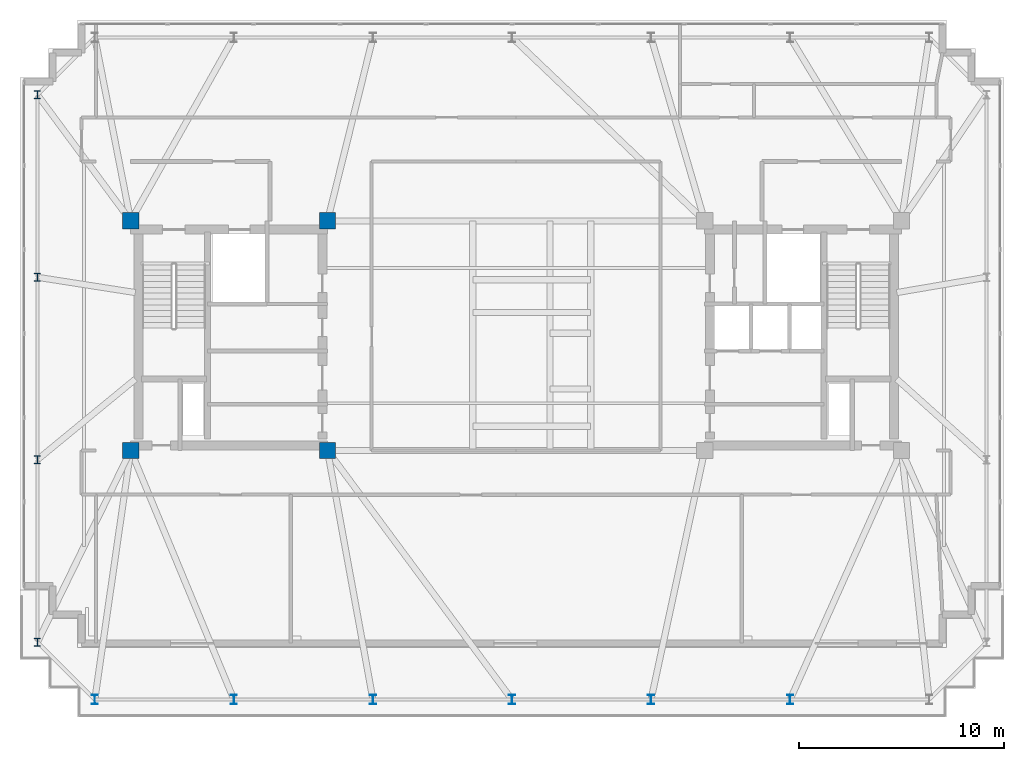
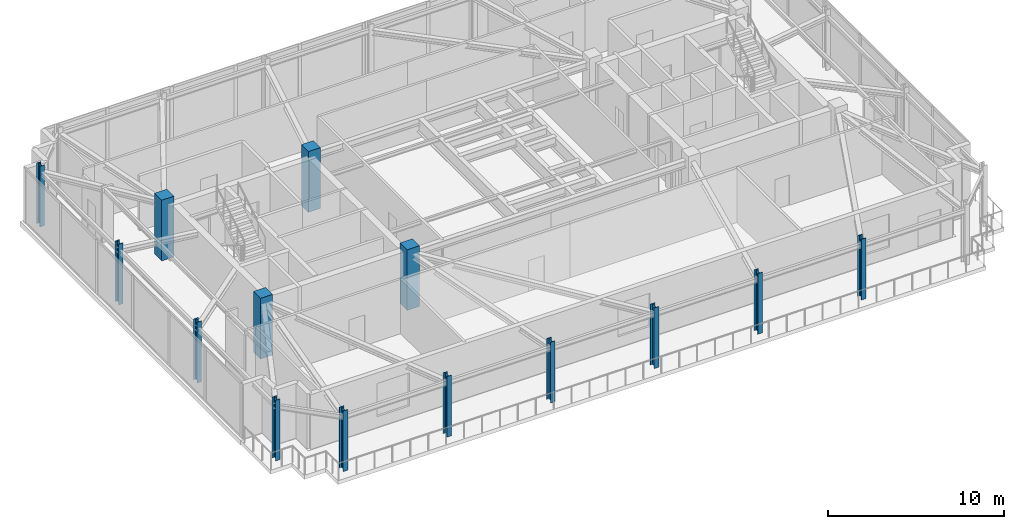
# One storey, part 1 of 24: 14 columns.
"""IFC4 building model written with IfcOpenShell, lengths in metres."""

import ifcopenshell
import ifcopenshell.guid

model = None  # the IFC model being written
_history = None  # IfcOwnerHistory: only IFC2X3 demands one
_inside = {}  # id of a spatial element -> (the spatial element, [elements in it])
_under = {}  # id of a project, library or spatial element -> (it, [spatial elements below it])
_declared = {}  # id of a project -> (the project, [libraries it declares])
_typed = {}  # id of a type object -> (the type object, [elements of that type])
_made_of = {}  # id of a material, layer set ... -> (it, [elements and type objects made of it])


def new_model(schema):
    """Start an empty IFC model of exactly this schema.

    Asked for "IFC4X3", IfcOpenShell would pick the latest addendum, in which some entities
    have other attributes; the version numbers below select the first issue.
    IFC2X3 requires an IfcOwnerHistory on every rooted entity: one is made here for all.
    """
    global model, _history
    if schema == "IFC4X3":
        model = ifcopenshell.file(schema_version=(4, 3, 0, 0))
    else:
        model = ifcopenshell.file(schema=schema)
    _inside.clear()
    _under.clear()
    _declared.clear()
    _typed.clear()
    _made_of.clear()
    _history = None
    if model.schema == "IFC2X3":
        org = make("IfcOrganization", Name="unknown")
        user = make(
            "IfcPersonAndOrganization",
            ThePerson=make("IfcPerson", FamilyName="unknown"),
            TheOrganization=org,
        )
        app = make(
            "IfcApplication",
            ApplicationDeveloper=org,
            Version="unknown",
            ApplicationFullName="unknown",
            ApplicationIdentifier="unknown",
        )
        _history = make(
            "IfcOwnerHistory",
            OwningUser=user,
            OwningApplication=app,
            ChangeAction="ADDED",
            CreationDate=0,
        )
    return model


def make(cls, **values):
    """One entity of the class cls with the attributes given. An attribute that is None is left unset."""
    return model.create_entity(
        cls, **{name: value for name, value in values.items() if value is not None}
    )


def rooted(cls, **values):
    """An entity with a GlobalId (a new one), such as an element, a storey or a relation."""
    return make(cls, GlobalId=ifcopenshell.guid.new(), OwnerHistory=_history, **values)


def si_unit(unit_type, name, prefix=None):
    """IfcSIUnit, for example si_unit("LENGTHUNIT", "METRE", prefix="MILLI")."""
    return make("IfcSIUnit", UnitType=unit_type, Prefix=prefix, Name=name)


def assignment(units):
    """IfcUnitAssignment: the units of a project."""
    return None if units is None else make("IfcUnitAssignment", Units=units)


def point(xyz):
    """IfcCartesianPoint."""
    return None if xyz is None else make("IfcCartesianPoint", Coordinates=xyz)


def direction(xyz):
    """IfcDirection."""
    return None if xyz is None else make("IfcDirection", DirectionRatios=xyz)


def frame(location, z_axis=None, x_axis=None):
    """IfcAxis2Placement3D, a coordinate frame: its origin and axes. An axis left out is left unset."""
    return make(
        "IfcAxis2Placement3D",
        Location=point(location),
        Axis=direction(z_axis),
        RefDirection=direction(x_axis),
    )


def frame_2d(location, x_axis=None):
    """IfcAxis2Placement2D, a coordinate frame in the plane: its origin and x axis."""
    return make(
        "IfcAxis2Placement2D", Location=point(location), RefDirection=direction(x_axis)
    )


def origin():
    """The frame at (0, 0, 0) with its axes left unset."""
    return frame((0.0, 0.0, 0.0))


def origin_2d():
    """The frame at (0, 0) in the plane with its x axis left unset."""
    return frame_2d((0.0, 0.0))


def place(relative_to, where):
    """IfcLocalPlacement: puts the frame where relative to a parent placement (None: the world)."""
    return make(
        "IfcLocalPlacement", PlacementRelTo=relative_to, RelativePlacement=where
    )


def context(
    kind, dimensions, precision=None, world=None, true_north=None, identifier=None
):
    """IfcGeometricRepresentationContext, for example the 3D "Model" context."""
    return make(
        "IfcGeometricRepresentationContext",
        ContextIdentifier=identifier,
        ContextType=kind,
        CoordinateSpaceDimension=dimensions,
        Precision=precision,
        WorldCoordinateSystem=world,
        TrueNorth=true_north,
    )


def subcontext(parent, identifier, kind, view, scale=None):
    """IfcGeometricRepresentationSubContext, for example "Body" below "Model"."""
    return make(
        "IfcGeometricRepresentationSubContext",
        ContextIdentifier=identifier,
        ContextType=kind,
        ParentContext=parent,
        TargetScale=scale,
        TargetView=view,
    )


def project(units=None, contexts=None):
    """IfcProject with its units and contexts."""
    return rooted(
        "IfcProject",
        Name="project",
        RepresentationContexts=contexts,
        UnitsInContext=assignment(units),
    )


def spatial(cls, under=None, at=None, **own):
    """A site, building, storey or space (cls), placed at a placement, below another one or the project."""
    s = rooted(cls, ObjectPlacement=at, **own)
    if under is not None:
        _under.setdefault(under.id(), (under, []))[1].append(s)
    return s


def profile(cls, at=None, kind="AREA", **sizes):
    """A parametric profile (cls). Its sizes go by their IFC names, for example OverallWidth=200.0."""
    return make(cls, ProfileType=kind, Position=at, **sizes)


def rectangle(**sizes):
    """IfcRectangleProfileDef."""
    return profile("IfcRectangleProfileDef", **sizes)


def i_section(**sizes):
    """IfcIShapeProfileDef."""
    return profile("IfcIShapeProfileDef", **sizes)


def extrude(swept, where, along, depth):
    """IfcExtrudedAreaSolid: the profile swept, set in the frame where, extruded along a direction by depth."""
    return make(
        "IfcExtrudedAreaSolid",
        SweptArea=swept,
        Position=where,
        ExtrudedDirection=direction(along),
        Depth=depth,
    )


def shape(context_of_items, identifier, shape_type, items):
    """IfcShapeRepresentation: the items that make up one representation, for example the "Body"."""
    return make(
        "IfcShapeRepresentation",
        ContextOfItems=context_of_items,
        RepresentationIdentifier=identifier,
        RepresentationType=shape_type,
        Items=items,
    )


def material(Name=None, Category=None):
    """IfcMaterial."""
    return make("IfcMaterial", Name=Name, Category=Category)


def material_profile(
    of_material, cross_section, Name=None, Category=None, Priority=None
):
    """IfcMaterialProfile: a cross section and its material."""
    return make(
        "IfcMaterialProfile",
        Name=Name,
        Material=of_material,
        Profile=cross_section,
        Priority=Priority,
        Category=Category,
    )


def profile_set(profiles, Name=None, composite=None):
    """IfcMaterialProfileSet."""
    return make(
        "IfcMaterialProfileSet",
        Name=Name,
        MaterialProfiles=profiles,
        CompositeProfile=composite,
    )


def made_of(thing, what):
    """Note that an element or type object is made of a material, layer set ...; save() writes the relation."""
    if what is not None:
        _made_of.setdefault(what.id(), (what, []))[1].append(thing)
    return thing


def type_object(cls, material=None, **own):
    """A type object (cls), such as IfcWallType, which elements share."""
    return made_of(rooted(cls, **own), material)


def element(
    cls,
    number,
    at=None,
    inside=None,
    cuts=None,
    type_object=None,
    material=None,
    context=None,
    identifier="Body",
    shape_type=None,
    held_by="IfcProductDefinitionShape",
    body=None,
    shapes=None,
    **own,
):
    """One element of the class cls, such as IfcWall. Its Tag is "e" and its number.

    at: its placement. inside: the storey or other place that contains it. cuts: it is an
    opening in that element (IfcRelVoidsElement). A single representation is given by context,
    identifier, shape_type and body (its items); several are given by shapes. held_by: the class
    of the entity that holds the representations. save() writes the other relations.
    """
    e = rooted(cls, Tag="e%d" % number, ObjectPlacement=at, **own)
    if body is not None:
        shapes = [shape(context, identifier, shape_type, body)]
    if shapes is not None:
        e.Representation = make(held_by, Representations=shapes)
    if inside is not None:
        _inside.setdefault(inside.id(), (inside, []))[1].append(e)
    if cuts is not None:
        rooted(
            "IfcRelVoidsElement", RelatingBuildingElement=cuts, RelatedOpeningElement=e
        )
    if type_object is not None:
        _typed.setdefault(type_object.id(), (type_object, []))[1].append(e)
    return made_of(e, material)


def aggregate(whole, parts):
    """IfcRelAggregates: a whole, such as a stair, and the parts it consists of."""
    return rooted("IfcRelAggregates", RelatingObject=whole, RelatedObjects=parts)


def save(model, path):
    """Write the relations noted so far, then the file.

    IfcRelAggregates (storeys below a building ...), IfcRelContainedInSpatialStructure (elements
    in a storey), IfcRelDefinesByType, IfcRelAssociatesMaterial and IfcRelDeclares: one each for
    every whole, place, type object, material and project.
    """
    for whole, parts in _under.values():
        aggregate(whole, parts)
    for where, things in _inside.values():
        rooted(
            "IfcRelContainedInSpatialStructure",
            RelatedElements=things,
            RelatingStructure=where,
        )
    for kind, things in _typed.values():
        rooted("IfcRelDefinesByType", RelatedObjects=things, RelatingType=kind)
    for what, things in _made_of.values():
        rooted("IfcRelAssociatesMaterial", RelatedObjects=things, RelatingMaterial=what)
    for by, libraries in _declared.values():
        rooted("IfcRelDeclares", RelatingContext=by, RelatedDefinitions=libraries)
    model.write(path)


model = new_model("IFC4")

# Units and contexts
model_context = context("Model", 3, precision=1e-05, world=origin(), true_north=direction((0.0, 1.0)))
body_context = subcontext(model_context, "Body", "Model", "MODEL_VIEW")
ifc_project = project(units=[si_unit("LENGTHUNIT", "METRE"), si_unit("AREAUNIT", "SQUARE_METRE"), si_unit("VOLUMEUNIT", "CUBIC_METRE"), si_unit("PLANEANGLEUNIT", "RADIAN"), si_unit("MASSUNIT", "GRAM", prefix="KILO")], contexts=[model_context])

# Site, building, storey
site_placement = place(None, origin())
site = spatial("IfcSite", under=ifc_project, at=site_placement, CompositionType="ELEMENT")
building_placement = place(site_placement, origin())
building = spatial("IfcBuilding", under=site, at=building_placement, Name="Qobustan Lattice House", CompositionType="ELEMENT")
storey_placement = place(building_placement, frame((0.0, 0.0, 261.800048828125)))
storey = spatial("IfcBuildingStorey", under=building, at=storey_placement, Name="L74", CompositionType="ELEMENT", Elevation=261.800048828125)

# Columns
ifc_material_1 = material(Name="Concrete C50/60", Category="concrete")
ifc_material_profile_1 = material_profile(ifc_material_1, rectangle(XDim=0.800048828125, YDim=0.800048828125, at=origin_2d()), Name="RC800x800")
ifc_profile_set_1 = profile_set([ifc_material_profile_1], Name="Concrete C50/60")
column_type_1 = type_object("IfcColumnType", Name="COL-RC-800", PredefinedType="COLUMN", material=ifc_profile_set_1)
for number, where, z_axis, x_axis, name in (
    (1, (-18.800048828125, -5.60009765625, 0.0), (0.0, 0.0, 1.0), (1.0, 0.0, 0.0), "L74 core mega-column CW-SW"),
    (2, (-18.800048828125, 5.60009765625, 0.0), (0.0, 0.0, 1.0), (1.0, 0.0, 0.0), "L74 core mega-column CW-NW"),
    (3, (-9.199951171875, -5.60009765625, 0.0), (0.0, 0.0, 1.0), (1.0, 0.0, 0.0), "L74 core mega-column CW-SE"),
    (4, (-9.199951171875, 5.60009765625, 0.0), (0.0, 0.0, 1.0), (1.0, 0.0, 0.0), "L74 core mega-column CW-NE"),
):
    element("IfcColumn", number, at=place(storey_placement, frame(where, z_axis=z_axis, x_axis=x_axis)), inside=storey, type_object=column_type_1, Name=name, PredefinedType="COLUMN", context=body_context, shape_type="SweptSolid", body=[
        extrude(rectangle(XDim=0.800048828125, YDim=0.800048828125, at=origin_2d()), origin(), (0.0, 0.0, 1.0), 4.199951171875),
    ])
ifc_material_2 = material(Name="Steel S355", Category="steel")
ifc_material_profile_2 = material_profile(ifc_material_2, i_section(OverallWidth=0.300048828125, OverallDepth=0.39990234375, WebThickness=0.013427734375, FlangeThickness=0.02392578125, FilletRadius=0.027099609375, at=origin_2d()), Name="HEB400")
ifc_profile_set_2 = profile_set([ifc_material_profile_2], Name="Steel S355")
column_type_2 = type_object("IfcColumnType", Name="COL-ST-HEB400", PredefinedType="COLUMN", material=ifc_profile_set_2)
for number, where, z_axis, x_axis, name in (
    (5, (-23.35009765625, 11.75, 0.0), (0.0, 0.0, 1.0), (1.0, 0.0, 0.0), "L74 B5 perimeter column W1"),
    (6, (-23.35009765625, 2.85009765625, 0.0), (0.0, 0.0, 1.0), (1.0, 0.0, 0.0), "L74 B5 perimeter column W2"),
    (7, (-23.35009765625, -6.050048828125, 0.0), (0.0, 0.0, 1.0), (1.0, 0.0, 0.0), "L74 B5 perimeter column W3"),
    (8, (-23.35009765625, -14.949951171875, 0.0), (0.0, 0.0, 1.0), (1.0, 0.0, 0.0), "L74 B5 perimeter column W4"),
):
    element("IfcColumn", number, at=place(storey_placement, frame(where, z_axis=z_axis, x_axis=x_axis)), inside=storey, type_object=column_type_2, Name=name, PredefinedType="COLUMN", context=body_context, shape_type="SweptSolid", body=[
        extrude(i_section(OverallWidth=0.300048828125, OverallDepth=0.39990234375, WebThickness=0.013427734375, FlangeThickness=0.02392578125, FilletRadius=0.027099609375, at=origin_2d()), origin(), (0.0, 0.0, 1.0), 4.199951171875),
    ])
ifc_material_3 = material(Name="Steel S355", Category="steel")
ifc_material_profile_3 = material_profile(ifc_material_3, i_section(OverallWidth=0.300048828125, OverallDepth=0.449951171875, WebThickness=0.013916015625, FlangeThickness=0.02587890625, FilletRadius=0.027099609375, at=origin_2d()), Name="HEB450")
ifc_profile_set_3 = profile_set([ifc_material_profile_3], Name="Steel S355")
column_type_3 = type_object("IfcColumnType", Name="COL-ST-HEB450", PredefinedType="COLUMN", material=ifc_profile_set_3)
for number, where, z_axis, x_axis, name in (
    (9, (-20.550048828125, -17.75, 0.0), (0.0, 0.0, 1.0), (1.0, 0.0, 0.0), "L74 B5 perimeter column S1"),
    (10, (-13.7666015625, -17.75, 0.0), (0.0, 0.0, 1.0), (1.0, 0.0, 0.0), "L74 B5 perimeter column S2"),
    (11, (-6.9833984375, -17.75, 0.0), (0.0, 0.0, 1.0), (1.0, 0.0, 0.0), "L74 B5 perimeter column S3"),
    (12, (-0.199951171875, -17.75, 0.0), (0.0, 0.0, 1.0), (1.0, 0.0, 0.0), "L74 B5 perimeter column S4"),
    (13, (6.583251953125, -17.75, 0.0), (0.0, 0.0, 1.0), (1.0, 0.0, 0.0), "L74 B5 perimeter column S5"),
    (14, (13.36669921875, -17.75, 0.0), (0.0, 0.0, 1.0), (1.0, 0.0, 0.0), "L74 B5 perimeter column S6"),
):
    element("IfcColumn", number, at=place(storey_placement, frame(where, z_axis=z_axis, x_axis=x_axis)), inside=storey, type_object=column_type_3, Name=name, PredefinedType="COLUMN", context=body_context, shape_type="SweptSolid", body=[
        extrude(i_section(OverallWidth=0.300048828125, OverallDepth=0.449951171875, WebThickness=0.013916015625, FlangeThickness=0.02587890625, FilletRadius=0.027099609375, at=origin_2d()), origin(), (0.0, 0.0, 1.0), 4.199951171875),
    ])

save(model, "model.ifc")
